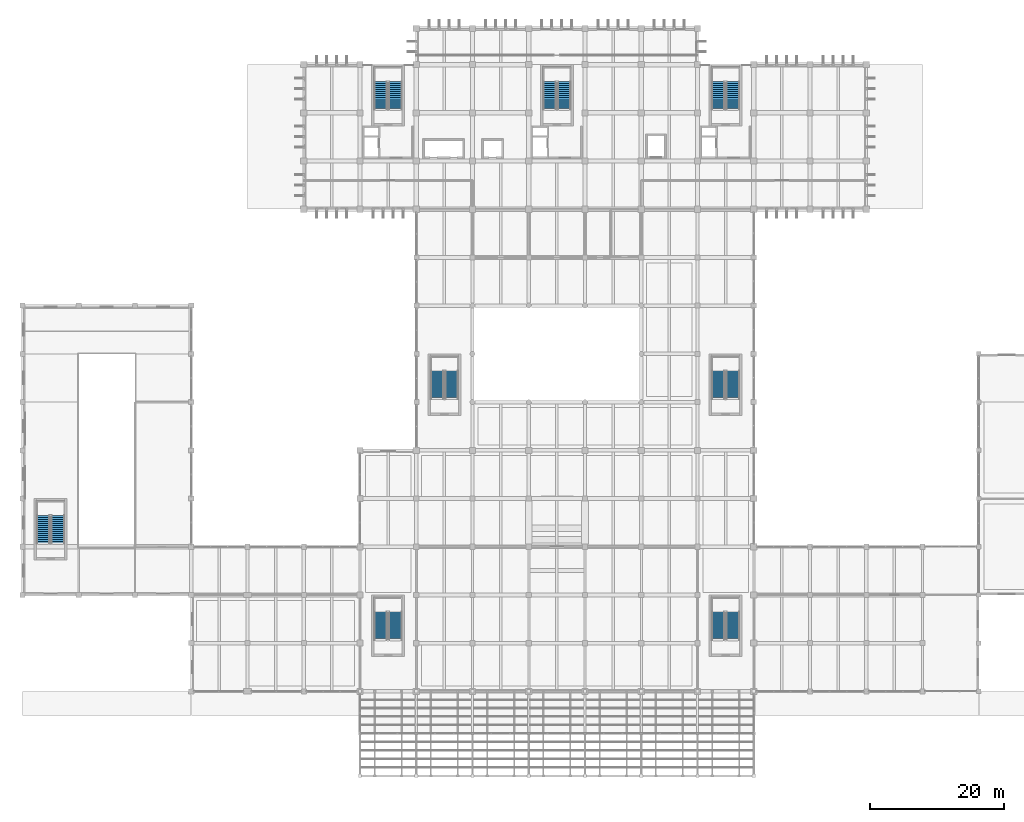
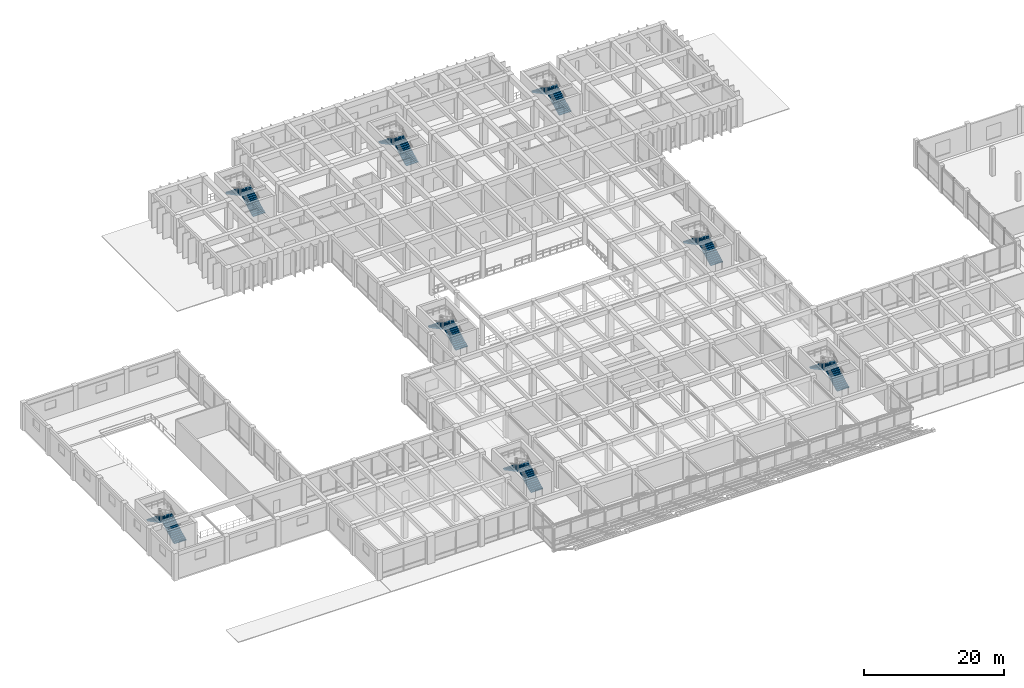
# One storey, part 41 of 52: 16 stair flights, 8 elements without a shape of their own.
"""IFC4 building model written with IfcOpenShell, lengths in metres."""

from ifc_helpers import new_model, si_unit, direction, frame, origin, place, context, subcontext, project, spatial, polyline, outline, extrude, material, type_object, element, aggregate, save


model = new_model("IFC4")

# Units and contexts
model_context = context("Model", 3, precision=1e-05, world=origin(), true_north=direction((0.0, 1.0)))
body_context = subcontext(model_context, "Body", "Model", "MODEL_VIEW")
ifc_project = project(units=[si_unit("LENGTHUNIT", "METRE"), si_unit("AREAUNIT", "SQUARE_METRE"), si_unit("VOLUMEUNIT", "CUBIC_METRE"), si_unit("PLANEANGLEUNIT", "RADIAN"), si_unit("MASSUNIT", "GRAM", prefix="KILO")], contexts=[model_context])

# Site, building, storey
site_placement = place(None, origin())
site = spatial("IfcSite", under=ifc_project, at=site_placement, CompositionType="ELEMENT")
building_placement = place(site_placement, origin())
building = spatial("IfcBuilding", under=site, at=building_placement, Name="Kenerak Square Central Library", CompositionType="ELEMENT")
storey_placement = place(building_placement, frame((0.0, 0.0, 4.800048828125)))
storey = spatial("IfcBuildingStorey", under=building, at=storey_placement, Name="L01", CompositionType="ELEMENT", Elevation=4.800048828125)

# Stair, stair flights
ifc_material = material(Name="Concrete C40/50", Category="concrete")
stair_type = type_object("IfcStairType", Name="Exit Dogleg Stair ST-480 C40/50", PredefinedType="HALF_TURN_STAIR", material=ifc_material)
stair_1_placement = place(storey_placement, origin())
stair_1 = element("IfcStair", 1, at=stair_1_placement, inside=storey, type_object=stair_type, Name="L01 Protected Exit Stair ST-01", PredefinedType="HALF_TURN_STAIR")
stair_flight_type = type_object("IfcStairFlightType", Name="Exit Stair Flight FL-15 C40/50", PredefinedType="STRAIGHT", material=ifc_material)
stair_flight_1_placement = place(storey_placement, frame((63.68994140625, 103.64990234375, 0.0), z_axis=(0.0, 0.0, 1.0), x_axis=(0.0, 1.0, 0.0)))
stair_flight_1 = element("IfcStairFlight", 2, at=stair_flight_1_placement, type_object=stair_flight_type, Name="ST-01 Flight 1", NumberOfRisers=15, NumberOfTreads=14, PredefinedType="STRAIGHT", RiserHeight=0.16, TreadLength=0.3, context=body_context, shape_type="SweptSolid", body=[
    extrude(outline(polyline([(0.0, 0.0), (0.0, 0.159912109375), (0.300048828125, 0.159912109375), (0.300048828125, 0.320068359375), (0.60009765625, 0.320068359375), (0.60009765625, 0.47998046875), (0.89990234375, 0.47998046875), (0.89990234375, 0.639892578125), (1.199951171875, 0.639892578125), (1.199951171875, 0.800048828125), (1.5, 0.800048828125), (1.5, 0.9599609375), (1.800048828125, 0.9599609375), (1.800048828125, 1.1201171875), (2.10009765625, 1.1201171875), (2.10009765625, 1.280029296875), (2.39990234375, 1.280029296875), (2.39990234375, 1.43994140625), (2.699951171875, 1.43994140625), (2.699951171875, 1.60009765625), (3.0, 1.60009765625), (3.0, 1.760009765625), (3.300048828125, 1.760009765625), (3.300048828125, 1.919921875), (3.60009765625, 1.919921875), (3.60009765625, 2.080078125), (3.89990234375, 2.080078125), (3.89990234375, 2.239990234375), (4.199951171875, 2.239990234375), (4.199951171875, 2.39990234375), (4.199951171875, 2.0361328125), (0.38232421875, 0.0), (0.0, 0.0)])), frame((0.0, 0.989990234375, 0.0), z_axis=(0.0, -1.0, 0.0), x_axis=(1.0, 0.0, 0.0)), (0.0, 0.0, 1.0), 1.97998046875),
])
stair_flight_2_placement = place(storey_placement, frame((61.510009765625, 107.85009765625, 2.39990234375), z_axis=(0.0, 0.0, 1.0), x_axis=(0.0, -1.0, 0.0)))
stair_flight_2 = element("IfcStairFlight", 3, at=stair_flight_2_placement, type_object=stair_flight_type, Name="ST-01 Flight 2", NumberOfRisers=15, NumberOfTreads=14, PredefinedType="STRAIGHT", RiserHeight=0.16, TreadLength=0.3, context=body_context, shape_type="SweptSolid", body=[
    extrude(outline(polyline([(0.0, 0.0), (0.0, 0.159912109375), (0.300048828125, 0.159912109375), (0.300048828125, 0.320068359375), (0.60009765625, 0.320068359375), (0.60009765625, 0.47998046875), (0.89990234375, 0.47998046875), (0.89990234375, 0.639892578125), (1.199951171875, 0.639892578125), (1.199951171875, 0.800048828125), (1.5, 0.800048828125), (1.5, 0.9599609375), (1.800048828125, 0.9599609375), (1.800048828125, 1.1201171875), (2.10009765625, 1.1201171875), (2.10009765625, 1.280029296875), (2.39990234375, 1.280029296875), (2.39990234375, 1.43994140625), (2.699951171875, 1.43994140625), (2.699951171875, 1.60009765625), (3.0, 1.60009765625), (3.0, 1.760009765625), (3.300048828125, 1.760009765625), (3.300048828125, 1.919921875), (3.60009765625, 1.919921875), (3.60009765625, 2.080078125), (3.89990234375, 2.080078125), (3.89990234375, 2.239990234375), (4.199951171875, 2.239990234375), (4.199951171875, 2.39990234375), (4.199951171875, 2.0361328125), (0.38232421875, 0.0), (0.0, 0.0)])), frame((0.0, 0.989990234375, 0.0), z_axis=(0.0, -1.0, 0.0), x_axis=(1.0, 0.0, 0.0)), (0.0, 0.0, 1.0), 1.97998046875),
])
aggregate(stair_1, [stair_flight_1, stair_flight_2])

stair_2_placement = place(storey_placement, origin())
stair_2 = element("IfcStair", 4, at=stair_2_placement, inside=storey, type_object=stair_type, Name="L01 Protected Exit Stair ST-02", PredefinedType="HALF_TURN_STAIR")
stair_flight_3_placement = place(storey_placement, frame((88.889892578125, 103.64990234375, 0.0), z_axis=(0.0, 0.0, 1.0), x_axis=(0.0, 1.0, 0.0)))
stair_flight_3 = element("IfcStairFlight", 5, at=stair_flight_3_placement, type_object=stair_flight_type, Name="ST-02 Flight 1", NumberOfRisers=15, NumberOfTreads=14, PredefinedType="STRAIGHT", RiserHeight=0.16, TreadLength=0.3, context=body_context, shape_type="SweptSolid", body=[
    extrude(outline(polyline([(0.0, 0.0), (0.0, 0.159912109375), (0.300048828125, 0.159912109375), (0.300048828125, 0.320068359375), (0.60009765625, 0.320068359375), (0.60009765625, 0.47998046875), (0.89990234375, 0.47998046875), (0.89990234375, 0.639892578125), (1.199951171875, 0.639892578125), (1.199951171875, 0.800048828125), (1.5, 0.800048828125), (1.5, 0.9599609375), (1.800048828125, 0.9599609375), (1.800048828125, 1.1201171875), (2.10009765625, 1.1201171875), (2.10009765625, 1.280029296875), (2.39990234375, 1.280029296875), (2.39990234375, 1.43994140625), (2.699951171875, 1.43994140625), (2.699951171875, 1.60009765625), (3.0, 1.60009765625), (3.0, 1.760009765625), (3.300048828125, 1.760009765625), (3.300048828125, 1.919921875), (3.60009765625, 1.919921875), (3.60009765625, 2.080078125), (3.89990234375, 2.080078125), (3.89990234375, 2.239990234375), (4.199951171875, 2.239990234375), (4.199951171875, 2.39990234375), (4.199951171875, 2.0361328125), (0.38232421875, 0.0), (0.0, 0.0)])), frame((0.0, 0.989990234375, 0.0), z_axis=(0.0, -1.0, 0.0), x_axis=(1.0, 0.0, 0.0)), (0.0, 0.0, 1.0), 1.97998046875),
])
stair_flight_4_placement = place(storey_placement, frame((86.7099609375, 107.85009765625, 2.39990234375), z_axis=(0.0, 0.0, 1.0), x_axis=(0.0, -1.0, 0.0)))
stair_flight_4 = element("IfcStairFlight", 6, at=stair_flight_4_placement, type_object=stair_flight_type, Name="ST-02 Flight 2", NumberOfRisers=15, NumberOfTreads=14, PredefinedType="STRAIGHT", RiserHeight=0.16, TreadLength=0.3, context=body_context, shape_type="SweptSolid", body=[
    extrude(outline(polyline([(0.0, 0.0), (0.0, 0.159912109375), (0.300048828125, 0.159912109375), (0.300048828125, 0.320068359375), (0.60009765625, 0.320068359375), (0.60009765625, 0.47998046875), (0.89990234375, 0.47998046875), (0.89990234375, 0.639892578125), (1.199951171875, 0.639892578125), (1.199951171875, 0.800048828125), (1.5, 0.800048828125), (1.5, 0.9599609375), (1.800048828125, 0.9599609375), (1.800048828125, 1.1201171875), (2.10009765625, 1.1201171875), (2.10009765625, 1.280029296875), (2.39990234375, 1.280029296875), (2.39990234375, 1.43994140625), (2.699951171875, 1.43994140625), (2.699951171875, 1.60009765625), (3.0, 1.60009765625), (3.0, 1.760009765625), (3.300048828125, 1.760009765625), (3.300048828125, 1.919921875), (3.60009765625, 1.919921875), (3.60009765625, 2.080078125), (3.89990234375, 2.080078125), (3.89990234375, 2.239990234375), (4.199951171875, 2.239990234375), (4.199951171875, 2.39990234375), (4.199951171875, 2.0361328125), (0.38232421875, 0.0), (0.0, 0.0)])), frame((0.0, 0.989990234375, 0.0), z_axis=(0.0, -1.0, 0.0), x_axis=(1.0, 0.0, 0.0)), (0.0, 0.0, 1.0), 1.97998046875),
])
aggregate(stair_2, [stair_flight_3, stair_flight_4])

stair_3_placement = place(storey_placement, origin())
stair_3 = element("IfcStair", 7, at=stair_3_placement, inside=storey, type_object=stair_type, Name="L01 Protected Exit Stair ST-03", PredefinedType="HALF_TURN_STAIR")
stair_flight_5_placement = place(storey_placement, frame((114.090087890625, 103.64990234375, 0.0), z_axis=(0.0, 0.0, 1.0), x_axis=(0.0, 1.0, 0.0)))
stair_flight_5 = element("IfcStairFlight", 8, at=stair_flight_5_placement, type_object=stair_flight_type, Name="ST-03 Flight 1", NumberOfRisers=15, NumberOfTreads=14, PredefinedType="STRAIGHT", RiserHeight=0.16, TreadLength=0.3, context=body_context, shape_type="SweptSolid", body=[
    extrude(outline(polyline([(0.0, 0.0), (0.0, 0.159912109375), (0.300048828125, 0.159912109375), (0.300048828125, 0.320068359375), (0.60009765625, 0.320068359375), (0.60009765625, 0.47998046875), (0.89990234375, 0.47998046875), (0.89990234375, 0.639892578125), (1.199951171875, 0.639892578125), (1.199951171875, 0.800048828125), (1.5, 0.800048828125), (1.5, 0.9599609375), (1.800048828125, 0.9599609375), (1.800048828125, 1.1201171875), (2.10009765625, 1.1201171875), (2.10009765625, 1.280029296875), (2.39990234375, 1.280029296875), (2.39990234375, 1.43994140625), (2.699951171875, 1.43994140625), (2.699951171875, 1.60009765625), (3.0, 1.60009765625), (3.0, 1.760009765625), (3.300048828125, 1.760009765625), (3.300048828125, 1.919921875), (3.60009765625, 1.919921875), (3.60009765625, 2.080078125), (3.89990234375, 2.080078125), (3.89990234375, 2.239990234375), (4.199951171875, 2.239990234375), (4.199951171875, 2.39990234375), (4.199951171875, 2.0361328125), (0.38232421875, 0.0), (0.0, 0.0)])), frame((0.0, 0.989990234375, 0.0), z_axis=(0.0, -1.0, 0.0), x_axis=(1.0, 0.0, 0.0)), (0.0, 0.0, 1.0), 1.97998046875),
])
stair_flight_6_placement = place(storey_placement, frame((111.909912109375, 107.85009765625, 2.39990234375), z_axis=(0.0, 0.0, 1.0), x_axis=(0.0, -1.0, 0.0)))
stair_flight_6 = element("IfcStairFlight", 9, at=stair_flight_6_placement, type_object=stair_flight_type, Name="ST-03 Flight 2", NumberOfRisers=15, NumberOfTreads=14, PredefinedType="STRAIGHT", RiserHeight=0.16, TreadLength=0.3, context=body_context, shape_type="SweptSolid", body=[
    extrude(outline(polyline([(0.0, 0.0), (0.0, 0.159912109375), (0.300048828125, 0.159912109375), (0.300048828125, 0.320068359375), (0.60009765625, 0.320068359375), (0.60009765625, 0.47998046875), (0.89990234375, 0.47998046875), (0.89990234375, 0.639892578125), (1.199951171875, 0.639892578125), (1.199951171875, 0.800048828125), (1.5, 0.800048828125), (1.5, 0.9599609375), (1.800048828125, 0.9599609375), (1.800048828125, 1.1201171875), (2.10009765625, 1.1201171875), (2.10009765625, 1.280029296875), (2.39990234375, 1.280029296875), (2.39990234375, 1.43994140625), (2.699951171875, 1.43994140625), (2.699951171875, 1.60009765625), (3.0, 1.60009765625), (3.0, 1.760009765625), (3.300048828125, 1.760009765625), (3.300048828125, 1.919921875), (3.60009765625, 1.919921875), (3.60009765625, 2.080078125), (3.89990234375, 2.080078125), (3.89990234375, 2.239990234375), (4.199951171875, 2.239990234375), (4.199951171875, 2.39990234375), (4.199951171875, 2.0361328125), (0.38232421875, 0.0), (0.0, 0.0)])), frame((0.0, 0.989990234375, 0.0), z_axis=(0.0, -1.0, 0.0), x_axis=(1.0, 0.0, 0.0)), (0.0, 0.0, 1.0), 1.97998046875),
])
aggregate(stair_3, [stair_flight_5, stair_flight_6])

stair_4_placement = place(storey_placement, origin())
stair_4 = element("IfcStair", 10, at=stair_4_placement, inside=storey, type_object=stair_type, Name="L01 Protected Exit Stair ST-04", PredefinedType="HALF_TURN_STAIR")
stair_flight_7_placement = place(storey_placement, frame((63.68994140625, 24.449951171875, 0.0), z_axis=(0.0, 0.0, 1.0), x_axis=(0.0, 1.0, 0.0)))
stair_flight_7 = element("IfcStairFlight", 11, at=stair_flight_7_placement, type_object=stair_flight_type, Name="ST-04 Flight 1", NumberOfRisers=15, NumberOfTreads=14, PredefinedType="STRAIGHT", RiserHeight=0.16, TreadLength=0.3, context=body_context, shape_type="SweptSolid", body=[
    extrude(outline(polyline([(0.0, 0.0), (0.0, 0.159912109375), (0.300048828125, 0.159912109375), (0.300048828125, 0.320068359375), (0.60009765625, 0.320068359375), (0.60009765625, 0.47998046875), (0.89990234375, 0.47998046875), (0.89990234375, 0.639892578125), (1.199951171875, 0.639892578125), (1.199951171875, 0.800048828125), (1.5, 0.800048828125), (1.5, 0.9599609375), (1.800048828125, 0.9599609375), (1.800048828125, 1.1201171875), (2.10009765625, 1.1201171875), (2.10009765625, 1.280029296875), (2.39990234375, 1.280029296875), (2.39990234375, 1.43994140625), (2.699951171875, 1.43994140625), (2.699951171875, 1.60009765625), (3.0, 1.60009765625), (3.0, 1.760009765625), (3.300048828125, 1.760009765625), (3.300048828125, 1.919921875), (3.60009765625, 1.919921875), (3.60009765625, 2.080078125), (3.89990234375, 2.080078125), (3.89990234375, 2.239990234375), (4.199951171875, 2.239990234375), (4.199951171875, 2.39990234375), (4.199951171875, 2.0361328125), (0.38232421875, 0.0), (0.0, 0.0)])), frame((0.0, 0.989990234375, 0.0), z_axis=(0.0, -1.0, 0.0), x_axis=(1.0, 0.0, 0.0)), (0.0, 0.0, 1.0), 1.97998046875),
])
stair_flight_8_placement = place(storey_placement, frame((61.510009765625, 28.64990234375, 2.39990234375), z_axis=(0.0, 0.0, 1.0), x_axis=(0.0, -1.0, 0.0)))
stair_flight_8 = element("IfcStairFlight", 12, at=stair_flight_8_placement, type_object=stair_flight_type, Name="ST-04 Flight 2", NumberOfRisers=15, NumberOfTreads=14, PredefinedType="STRAIGHT", RiserHeight=0.16, TreadLength=0.3, context=body_context, shape_type="SweptSolid", body=[
    extrude(outline(polyline([(0.0, 0.0), (0.0, 0.159912109375), (0.300048828125, 0.159912109375), (0.300048828125, 0.320068359375), (0.60009765625, 0.320068359375), (0.60009765625, 0.47998046875), (0.89990234375, 0.47998046875), (0.89990234375, 0.639892578125), (1.199951171875, 0.639892578125), (1.199951171875, 0.800048828125), (1.5, 0.800048828125), (1.5, 0.9599609375), (1.800048828125, 0.9599609375), (1.800048828125, 1.1201171875), (2.10009765625, 1.1201171875), (2.10009765625, 1.280029296875), (2.39990234375, 1.280029296875), (2.39990234375, 1.43994140625), (2.699951171875, 1.43994140625), (2.699951171875, 1.60009765625), (3.0, 1.60009765625), (3.0, 1.760009765625), (3.300048828125, 1.760009765625), (3.300048828125, 1.919921875), (3.60009765625, 1.919921875), (3.60009765625, 2.080078125), (3.89990234375, 2.080078125), (3.89990234375, 2.239990234375), (4.199951171875, 2.239990234375), (4.199951171875, 2.39990234375), (4.199951171875, 2.0361328125), (0.38232421875, 0.0), (0.0, 0.0)])), frame((0.0, 0.989990234375, 0.0), z_axis=(0.0, -1.0, 0.0), x_axis=(1.0, 0.0, 0.0)), (0.0, 0.0, 1.0), 1.97998046875),
])
aggregate(stair_4, [stair_flight_7, stair_flight_8])

stair_5_placement = place(storey_placement, origin())
stair_5 = element("IfcStair", 13, at=stair_5_placement, inside=storey, type_object=stair_type, Name="L01 Protected Exit Stair ST-05", PredefinedType="HALF_TURN_STAIR")
stair_flight_9_placement = place(storey_placement, frame((114.090087890625, 24.449951171875, 0.0), z_axis=(0.0, 0.0, 1.0), x_axis=(0.0, 1.0, 0.0)))
stair_flight_9 = element("IfcStairFlight", 14, at=stair_flight_9_placement, type_object=stair_flight_type, Name="ST-05 Flight 1", NumberOfRisers=15, NumberOfTreads=14, PredefinedType="STRAIGHT", RiserHeight=0.16, TreadLength=0.3, context=body_context, shape_type="SweptSolid", body=[
    extrude(outline(polyline([(0.0, 0.0), (0.0, 0.159912109375), (0.300048828125, 0.159912109375), (0.300048828125, 0.320068359375), (0.60009765625, 0.320068359375), (0.60009765625, 0.47998046875), (0.89990234375, 0.47998046875), (0.89990234375, 0.639892578125), (1.199951171875, 0.639892578125), (1.199951171875, 0.800048828125), (1.5, 0.800048828125), (1.5, 0.9599609375), (1.800048828125, 0.9599609375), (1.800048828125, 1.1201171875), (2.10009765625, 1.1201171875), (2.10009765625, 1.280029296875), (2.39990234375, 1.280029296875), (2.39990234375, 1.43994140625), (2.699951171875, 1.43994140625), (2.699951171875, 1.60009765625), (3.0, 1.60009765625), (3.0, 1.760009765625), (3.300048828125, 1.760009765625), (3.300048828125, 1.919921875), (3.60009765625, 1.919921875), (3.60009765625, 2.080078125), (3.89990234375, 2.080078125), (3.89990234375, 2.239990234375), (4.199951171875, 2.239990234375), (4.199951171875, 2.39990234375), (4.199951171875, 2.0361328125), (0.38232421875, 0.0), (0.0, 0.0)])), frame((0.0, 0.989990234375, 0.0), z_axis=(0.0, -1.0, 0.0), x_axis=(1.0, 0.0, 0.0)), (0.0, 0.0, 1.0), 1.97998046875),
])
stair_flight_10_placement = place(storey_placement, frame((111.909912109375, 28.64990234375, 2.39990234375), z_axis=(0.0, 0.0, 1.0), x_axis=(0.0, -1.0, 0.0)))
stair_flight_10 = element("IfcStairFlight", 15, at=stair_flight_10_placement, type_object=stair_flight_type, Name="ST-05 Flight 2", NumberOfRisers=15, NumberOfTreads=14, PredefinedType="STRAIGHT", RiserHeight=0.16, TreadLength=0.3, context=body_context, shape_type="SweptSolid", body=[
    extrude(outline(polyline([(0.0, 0.0), (0.0, 0.159912109375), (0.300048828125, 0.159912109375), (0.300048828125, 0.320068359375), (0.60009765625, 0.320068359375), (0.60009765625, 0.47998046875), (0.89990234375, 0.47998046875), (0.89990234375, 0.639892578125), (1.199951171875, 0.639892578125), (1.199951171875, 0.800048828125), (1.5, 0.800048828125), (1.5, 0.9599609375), (1.800048828125, 0.9599609375), (1.800048828125, 1.1201171875), (2.10009765625, 1.1201171875), (2.10009765625, 1.280029296875), (2.39990234375, 1.280029296875), (2.39990234375, 1.43994140625), (2.699951171875, 1.43994140625), (2.699951171875, 1.60009765625), (3.0, 1.60009765625), (3.0, 1.760009765625), (3.300048828125, 1.760009765625), (3.300048828125, 1.919921875), (3.60009765625, 1.919921875), (3.60009765625, 2.080078125), (3.89990234375, 2.080078125), (3.89990234375, 2.239990234375), (4.199951171875, 2.239990234375), (4.199951171875, 2.39990234375), (4.199951171875, 2.0361328125), (0.38232421875, 0.0), (0.0, 0.0)])), frame((0.0, 0.989990234375, 0.0), z_axis=(0.0, -1.0, 0.0), x_axis=(1.0, 0.0, 0.0)), (0.0, 0.0, 1.0), 1.97998046875),
])
aggregate(stair_5, [stair_flight_9, stair_flight_10])

stair_6_placement = place(storey_placement, origin())
stair_6 = element("IfcStair", 16, at=stair_6_placement, inside=storey, type_object=stair_type, Name="L01 Protected Exit Stair ST-06", PredefinedType="HALF_TURN_STAIR")
stair_flight_11_placement = place(storey_placement, frame((13.2900390625, 38.85009765625, 0.0), z_axis=(0.0, 0.0, 1.0), x_axis=(0.0, 1.0, 0.0)))
stair_flight_11 = element("IfcStairFlight", 17, at=stair_flight_11_placement, type_object=stair_flight_type, Name="ST-06 Flight 1", NumberOfRisers=15, NumberOfTreads=14, PredefinedType="STRAIGHT", RiserHeight=0.16, TreadLength=0.3, context=body_context, shape_type="SweptSolid", body=[
    extrude(outline(polyline([(0.0, 0.0), (0.0, 0.159912109375), (0.300048828125, 0.159912109375), (0.300048828125, 0.320068359375), (0.60009765625, 0.320068359375), (0.60009765625, 0.47998046875), (0.89990234375, 0.47998046875), (0.89990234375, 0.639892578125), (1.199951171875, 0.639892578125), (1.199951171875, 0.800048828125), (1.5, 0.800048828125), (1.5, 0.9599609375), (1.800048828125, 0.9599609375), (1.800048828125, 1.1201171875), (2.10009765625, 1.1201171875), (2.10009765625, 1.280029296875), (2.39990234375, 1.280029296875), (2.39990234375, 1.43994140625), (2.699951171875, 1.43994140625), (2.699951171875, 1.60009765625), (3.0, 1.60009765625), (3.0, 1.760009765625), (3.300048828125, 1.760009765625), (3.300048828125, 1.919921875), (3.60009765625, 1.919921875), (3.60009765625, 2.080078125), (3.89990234375, 2.080078125), (3.89990234375, 2.239990234375), (4.199951171875, 2.239990234375), (4.199951171875, 2.39990234375), (4.199951171875, 2.0361328125), (0.38232421875, 0.0), (0.0, 0.0)])), frame((0.0, 0.989990234375, 0.0), z_axis=(0.0, -1.0, 0.0), x_axis=(1.0, 0.0, 0.0)), (0.0, 0.0, 1.0), 1.97998046875),
])
stair_flight_12_placement = place(storey_placement, frame((11.110107421875, 43.050048828125, 2.39990234375), z_axis=(0.0, 0.0, 1.0), x_axis=(0.0, -1.0, 0.0)))
stair_flight_12 = element("IfcStairFlight", 18, at=stair_flight_12_placement, type_object=stair_flight_type, Name="ST-06 Flight 2", NumberOfRisers=15, NumberOfTreads=14, PredefinedType="STRAIGHT", RiserHeight=0.16, TreadLength=0.3, context=body_context, shape_type="SweptSolid", body=[
    extrude(outline(polyline([(0.0, 0.0), (0.0, 0.159912109375), (0.300048828125, 0.159912109375), (0.300048828125, 0.320068359375), (0.60009765625, 0.320068359375), (0.60009765625, 0.47998046875), (0.89990234375, 0.47998046875), (0.89990234375, 0.639892578125), (1.199951171875, 0.639892578125), (1.199951171875, 0.800048828125), (1.5, 0.800048828125), (1.5, 0.9599609375), (1.800048828125, 0.9599609375), (1.800048828125, 1.1201171875), (2.10009765625, 1.1201171875), (2.10009765625, 1.280029296875), (2.39990234375, 1.280029296875), (2.39990234375, 1.43994140625), (2.699951171875, 1.43994140625), (2.699951171875, 1.60009765625), (3.0, 1.60009765625), (3.0, 1.760009765625), (3.300048828125, 1.760009765625), (3.300048828125, 1.919921875), (3.60009765625, 1.919921875), (3.60009765625, 2.080078125), (3.89990234375, 2.080078125), (3.89990234375, 2.239990234375), (4.199951171875, 2.239990234375), (4.199951171875, 2.39990234375), (4.199951171875, 2.0361328125), (0.38232421875, 0.0), (0.0, 0.0)])), frame((0.0, 0.989990234375, 0.0), z_axis=(0.0, -1.0, 0.0), x_axis=(1.0, 0.0, 0.0)), (0.0, 0.0, 1.0), 1.97998046875),
])
aggregate(stair_6, [stair_flight_11, stair_flight_12])

stair_7_placement = place(storey_placement, origin())
stair_7 = element("IfcStair", 19, at=stair_7_placement, inside=storey, type_object=stair_type, Name="L01 Protected Exit Stair ST-08", PredefinedType="HALF_TURN_STAIR")
stair_flight_13_placement = place(storey_placement, frame((72.090087890625, 60.449951171875, 0.0), z_axis=(0.0, 0.0, 1.0), x_axis=(0.0, 1.0, 0.0)))
stair_flight_13 = element("IfcStairFlight", 20, at=stair_flight_13_placement, type_object=stair_flight_type, Name="ST-08 Flight 1", NumberOfRisers=15, NumberOfTreads=14, PredefinedType="STRAIGHT", RiserHeight=0.16, TreadLength=0.3, context=body_context, shape_type="SweptSolid", body=[
    extrude(outline(polyline([(0.0, 0.0), (0.0, 0.159912109375), (0.300048828125, 0.159912109375), (0.300048828125, 0.320068359375), (0.60009765625, 0.320068359375), (0.60009765625, 0.47998046875), (0.89990234375, 0.47998046875), (0.89990234375, 0.639892578125), (1.199951171875, 0.639892578125), (1.199951171875, 0.800048828125), (1.5, 0.800048828125), (1.5, 0.9599609375), (1.800048828125, 0.9599609375), (1.800048828125, 1.1201171875), (2.10009765625, 1.1201171875), (2.10009765625, 1.280029296875), (2.39990234375, 1.280029296875), (2.39990234375, 1.43994140625), (2.699951171875, 1.43994140625), (2.699951171875, 1.60009765625), (3.0, 1.60009765625), (3.0, 1.760009765625), (3.300048828125, 1.760009765625), (3.300048828125, 1.919921875), (3.60009765625, 1.919921875), (3.60009765625, 2.080078125), (3.89990234375, 2.080078125), (3.89990234375, 2.239990234375), (4.199951171875, 2.239990234375), (4.199951171875, 2.39990234375), (4.199951171875, 2.0361328125), (0.38232421875, 0.0), (0.0, 0.0)])), frame((0.0, 0.989990234375, 0.0), z_axis=(0.0, -1.0, 0.0), x_axis=(1.0, 0.0, 0.0)), (0.0, 0.0, 1.0), 1.97998046875),
])
stair_flight_14_placement = place(storey_placement, frame((69.909912109375, 64.64990234375, 2.39990234375), z_axis=(0.0, 0.0, 1.0), x_axis=(0.0, -1.0, 0.0)))
stair_flight_14 = element("IfcStairFlight", 21, at=stair_flight_14_placement, type_object=stair_flight_type, Name="ST-08 Flight 2", NumberOfRisers=15, NumberOfTreads=14, PredefinedType="STRAIGHT", RiserHeight=0.16, TreadLength=0.3, context=body_context, shape_type="SweptSolid", body=[
    extrude(outline(polyline([(0.0, 0.0), (0.0, 0.159912109375), (0.300048828125, 0.159912109375), (0.300048828125, 0.320068359375), (0.60009765625, 0.320068359375), (0.60009765625, 0.47998046875), (0.89990234375, 0.47998046875), (0.89990234375, 0.639892578125), (1.199951171875, 0.639892578125), (1.199951171875, 0.800048828125), (1.5, 0.800048828125), (1.5, 0.9599609375), (1.800048828125, 0.9599609375), (1.800048828125, 1.1201171875), (2.10009765625, 1.1201171875), (2.10009765625, 1.280029296875), (2.39990234375, 1.280029296875), (2.39990234375, 1.43994140625), (2.699951171875, 1.43994140625), (2.699951171875, 1.60009765625), (3.0, 1.60009765625), (3.0, 1.760009765625), (3.300048828125, 1.760009765625), (3.300048828125, 1.919921875), (3.60009765625, 1.919921875), (3.60009765625, 2.080078125), (3.89990234375, 2.080078125), (3.89990234375, 2.239990234375), (4.199951171875, 2.239990234375), (4.199951171875, 2.39990234375), (4.199951171875, 2.0361328125), (0.38232421875, 0.0), (0.0, 0.0)])), frame((0.0, 0.989990234375, 0.0), z_axis=(0.0, -1.0, 0.0), x_axis=(1.0, 0.0, 0.0)), (0.0, 0.0, 1.0), 1.97998046875),
])
aggregate(stair_7, [stair_flight_13, stair_flight_14])

stair_8_placement = place(storey_placement, origin())
stair_8 = element("IfcStair", 22, at=stair_8_placement, inside=storey, type_object=stair_type, Name="L01 Protected Exit Stair ST-09", PredefinedType="HALF_TURN_STAIR")
stair_flight_15_placement = place(storey_placement, frame((114.090087890625, 60.449951171875, 0.0), z_axis=(0.0, 0.0, 1.0), x_axis=(0.0, 1.0, 0.0)))
stair_flight_15 = element("IfcStairFlight", 23, at=stair_flight_15_placement, type_object=stair_flight_type, Name="ST-09 Flight 1", NumberOfRisers=15, NumberOfTreads=14, PredefinedType="STRAIGHT", RiserHeight=0.16, TreadLength=0.3, context=body_context, shape_type="SweptSolid", body=[
    extrude(outline(polyline([(0.0, 0.0), (0.0, 0.159912109375), (0.300048828125, 0.159912109375), (0.300048828125, 0.320068359375), (0.60009765625, 0.320068359375), (0.60009765625, 0.47998046875), (0.89990234375, 0.47998046875), (0.89990234375, 0.639892578125), (1.199951171875, 0.639892578125), (1.199951171875, 0.800048828125), (1.5, 0.800048828125), (1.5, 0.9599609375), (1.800048828125, 0.9599609375), (1.800048828125, 1.1201171875), (2.10009765625, 1.1201171875), (2.10009765625, 1.280029296875), (2.39990234375, 1.280029296875), (2.39990234375, 1.43994140625), (2.699951171875, 1.43994140625), (2.699951171875, 1.60009765625), (3.0, 1.60009765625), (3.0, 1.760009765625), (3.300048828125, 1.760009765625), (3.300048828125, 1.919921875), (3.60009765625, 1.919921875), (3.60009765625, 2.080078125), (3.89990234375, 2.080078125), (3.89990234375, 2.239990234375), (4.199951171875, 2.239990234375), (4.199951171875, 2.39990234375), (4.199951171875, 2.0361328125), (0.38232421875, 0.0), (0.0, 0.0)])), frame((0.0, 0.989990234375, 0.0), z_axis=(0.0, -1.0, 0.0), x_axis=(1.0, 0.0, 0.0)), (0.0, 0.0, 1.0), 1.97998046875),
])
stair_flight_16_placement = place(storey_placement, frame((111.909912109375, 64.64990234375, 2.39990234375), z_axis=(0.0, 0.0, 1.0), x_axis=(0.0, -1.0, 0.0)))
stair_flight_16 = element("IfcStairFlight", 24, at=stair_flight_16_placement, type_object=stair_flight_type, Name="ST-09 Flight 2", NumberOfRisers=15, NumberOfTreads=14, PredefinedType="STRAIGHT", RiserHeight=0.16, TreadLength=0.3, context=body_context, shape_type="SweptSolid", body=[
    extrude(outline(polyline([(0.0, 0.0), (0.0, 0.159912109375), (0.300048828125, 0.159912109375), (0.300048828125, 0.320068359375), (0.60009765625, 0.320068359375), (0.60009765625, 0.47998046875), (0.89990234375, 0.47998046875), (0.89990234375, 0.639892578125), (1.199951171875, 0.639892578125), (1.199951171875, 0.800048828125), (1.5, 0.800048828125), (1.5, 0.9599609375), (1.800048828125, 0.9599609375), (1.800048828125, 1.1201171875), (2.10009765625, 1.1201171875), (2.10009765625, 1.280029296875), (2.39990234375, 1.280029296875), (2.39990234375, 1.43994140625), (2.699951171875, 1.43994140625), (2.699951171875, 1.60009765625), (3.0, 1.60009765625), (3.0, 1.760009765625), (3.300048828125, 1.760009765625), (3.300048828125, 1.919921875), (3.60009765625, 1.919921875), (3.60009765625, 2.080078125), (3.89990234375, 2.080078125), (3.89990234375, 2.239990234375), (4.199951171875, 2.239990234375), (4.199951171875, 2.39990234375), (4.199951171875, 2.0361328125), (0.38232421875, 0.0), (0.0, 0.0)])), frame((0.0, 0.989990234375, 0.0), z_axis=(0.0, -1.0, 0.0), x_axis=(1.0, 0.0, 0.0)), (0.0, 0.0, 1.0), 1.97998046875),
])
aggregate(stair_8, [stair_flight_15, stair_flight_16])

save(model, "model.ifc")
